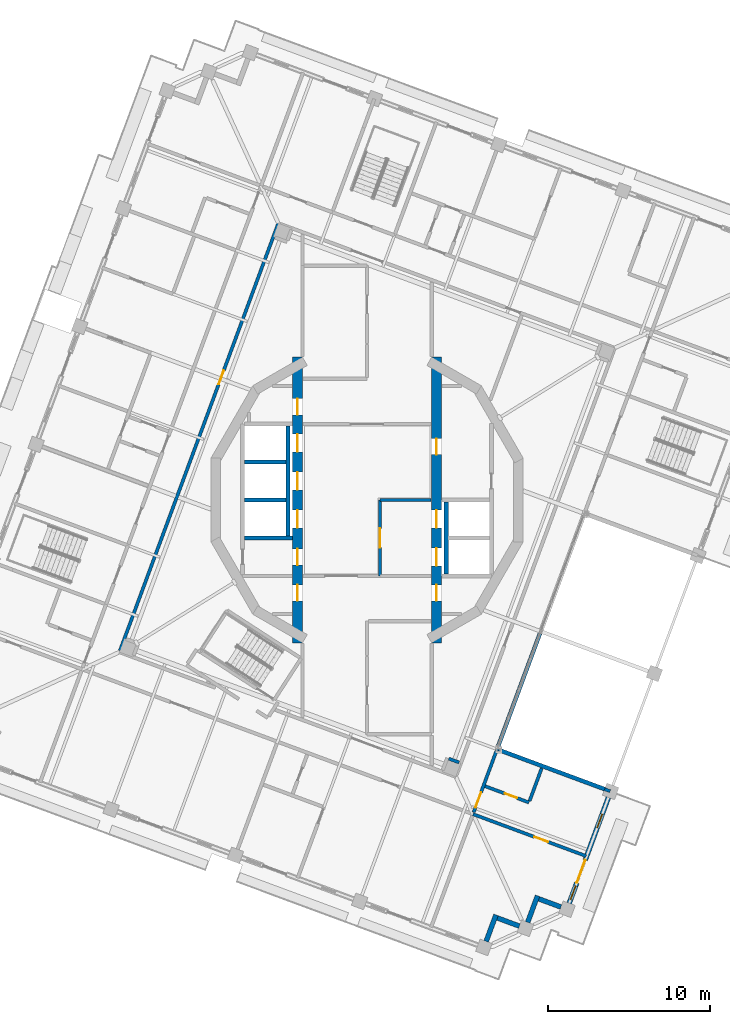
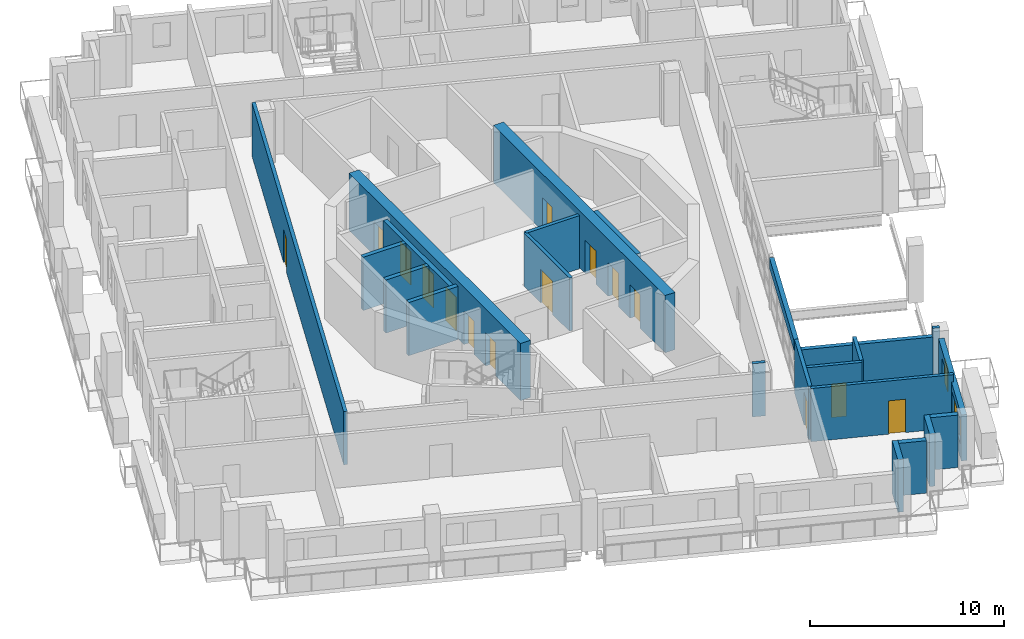
# One storey, part 7 of 19: 23 walls, 16 doors, 2 windows, 18 openings.
"""IFC4 building model written with IfcOpenShell, lengths in metres."""

from ifc_helpers import new_model, si_unit, direction, frame, frame_2d, origin, place, context, subcontext, project, spatial, rectangle, extrude, material, layer, layer_set, type_object, element, fill, save


model = new_model("IFC4")

# Units and contexts
model_context = context("Model", 3, precision=1e-05, world=origin(), true_north=direction((0.0, 1.0)))
body_context = subcontext(model_context, "Body", "Model", "MODEL_VIEW")
ifc_project = project(units=[si_unit("LENGTHUNIT", "METRE"), si_unit("AREAUNIT", "SQUARE_METRE"), si_unit("VOLUMEUNIT", "CUBIC_METRE"), si_unit("PLANEANGLEUNIT", "RADIAN"), si_unit("MASSUNIT", "GRAM", prefix="KILO")], contexts=[model_context])

# Site, building, storey
site_placement = place(None, origin())
site = spatial("IfcSite", under=ifc_project, at=site_placement, CompositionType="ELEMENT")
building_placement = place(site_placement, origin())
building = spatial("IfcBuilding", under=site, at=building_placement, Name="Cantera Rosa Tower", CompositionType="ELEMENT")
storey_placement = place(building_placement, frame((0.0, 0.0, 331.300048828125)))
storey = spatial("IfcBuildingStorey", under=building, at=storey_placement, Name="L74", CompositionType="ELEMENT", Elevation=331.300048828125)

# Wall, opening, door
ifc_material_1 = material(Name="Gypsum board partition")
ifc_layer_1 = layer(ifc_material_1, 0.199951171875)
ifc_layer_set_1 = layer_set([ifc_layer_1], Name="CORRIDOR WALL 200 H3350")
wall_type_1 = type_object("IfcWallType", Name="CORRIDOR WALL 200 H3350", PredefinedType="PARTITIONING", material=ifc_layer_set_1)
wall_1_placement = place(storey_placement, frame((-5.491455078125, 17.125244140625, 0.0), z_axis=(0.0, 0.0, 1.0), x_axis=(-0.347478457093, -0.937687966147, 0.0)))
wall_1 = element("IfcWall", 1, at=wall_1_placement, inside=storey, type_object=wall_type_1, Name="CORRIDOR WALL L74-045", PredefinedType="PARTITIONING", context=body_context, shape_type="SweptSolid", body=[
    extrude(rectangle(XDim=28.19970703125, YDim=0.199951171875, at=frame_2d((14.099853515625, 0.0))), origin(), (0.0, 0.0, 1.0), 3.349853515625),
])
opening_1_placement = place(wall_1_placement, frame((9.72509765625, 0.0, 0.0)))
opening_1 = element("IfcOpeningElement", 2, at=opening_1_placement, cuts=wall_1, Name="Opening L74-006", PredefinedType="OPENING", context=body_context, shape_type="SweptSolid", body=[
    extrude(rectangle(XDim=0.89990234375, YDim=2.10009765625, at=frame_2d((0.449951171875, 1.050048828125))), frame((0.0, 0.10986328125, 0.0), z_axis=(0.0, -1.0, 0.0), x_axis=(1.0, 0.0, 0.0)), (0.0, 0.0, 1.0), 0.219970703125),
])
ifc_material_2 = material(Name="Timber door leaf", Category="wood")
door_type_1 = type_object("IfcDoorType", Name="SERVICE DOOR 900x2100", OperationType="NOTDEFINED", PredefinedType="DOOR", material=ifc_material_2)
door_1_placement = place(opening_1_placement, origin())
door_1 = element("IfcDoor", 3, at=door_1_placement, inside=storey, type_object=door_type_1, Name="DOOR L74-006", OperationType="NOTDEFINED", OverallHeight=2.10009765625, OverallWidth=0.89990234375, PredefinedType="DOOR", context=body_context, shape_type="SweptSolid", body=[
    extrude(rectangle(XDim=0.89990234375, YDim=2.10009765625, at=frame_2d((0.449951171875, 1.050048828125))), frame((0.0, 0.02490234375, 0.0), z_axis=(0.0, -1.0, 0.0), x_axis=(1.0, 0.0, 0.0)), (0.0, 0.0, 1.0), 0.050048828125),
])
fill(opening_1, door_1)

wall_2_placement = place(storey_placement, frame((6.595458984375, -19.326171875, 0.0), z_axis=(0.0, 0.0, 1.0), x_axis=(0.347486922611, 0.937684829042, 0.0)))
wall_2 = element("IfcWall", 4, at=wall_2_placement, inside=storey, type_object=wall_type_1, Name="CORRIDOR WALL L74-090", PredefinedType="PARTITIONING", context=body_context, shape_type="SweptSolid", body=[
    extrude(rectangle(XDim=4.28515625, YDim=0.199951171875, at=frame_2d((2.142578125, 0.0))), origin(), (0.0, 0.0, 1.0), 3.349853515625),
])
opening_2_placement = place(wall_2_placement, frame((0.320068359375, 0.0, 0.0)))
opening_2 = element("IfcOpeningElement", 5, at=opening_2_placement, cuts=wall_2, Name="Opening L74-046", PredefinedType="OPENING", context=body_context, shape_type="SweptSolid", body=[
    extrude(rectangle(XDim=1.0, YDim=2.10009765625, at=frame_2d((0.5, 1.050048828125))), frame((0.0, 0.10986328125, 0.0), z_axis=(0.0, -1.0, 0.0), x_axis=(1.0, 0.0, 0.0)), (0.0, 0.0, 1.0), 0.219970703125),
])
ifc_material_3 = material(Name="Timber door leaf", Category="wood")
door_type_2 = type_object("IfcDoorType", Name="ENTRANCE DOOR 1000x2100", OperationType="NOTDEFINED", PredefinedType="DOOR", material=ifc_material_3)
door_2_placement = place(opening_2_placement, origin())
door_2 = element("IfcDoor", 6, at=door_2_placement, inside=storey, type_object=door_type_2, Name="DOOR L74-046", OperationType="NOTDEFINED", OverallHeight=2.10009765625, OverallWidth=1.0, PredefinedType="DOOR", context=body_context, shape_type="SweptSolid", body=[
    extrude(rectangle(XDim=1.0, YDim=2.10009765625, at=frame_2d((0.5, 1.050048828125))), frame((0.0, 0.02490234375, 0.0), z_axis=(0.0, -1.0, 0.0), x_axis=(1.0, 0.0, 0.0)), (0.0, 0.0, 1.0), 0.050048828125),
])
fill(opening_2, door_2)

# Walls
ifc_material_4 = material(Name="Hollow clay masonry with cantera stone cladding", Category="masonry")
ifc_layer_2 = layer(ifc_material_4, 0.300048828125)
ifc_layer_set_2 = layer_set([ifc_layer_2], Name="EW-LOGGIA 300")
wall_type_2 = type_object("IfcWallType", Name="EW-LOGGIA 300", PredefinedType="SOLIDWALL", material=ifc_layer_set_2)
wall_3_placement = place(storey_placement, frame((7.36865234375, -27.312255859375, 0.0), z_axis=(0.0, 0.0, 1.0), x_axis=(0.34752790836, 0.937669639538, 0.0)))
element("IfcWall", 7, at=wall_3_placement, inside=storey, type_object=wall_type_2, Name="EN-L74-W18a", PredefinedType="SOLIDWALL", context=body_context, shape_type="SweptSolid", body=[
    extrude(rectangle(XDim=1.75, YDim=0.300048828125, at=frame_2d((0.875, 0.0))), origin(), (0.0, 0.0, 1.0), 3.300048828125),
])
wall_4_placement = place(storey_placement, frame((8.065185546875, -25.8642578125, 0.0), z_axis=(0.0, 0.0, 1.0), x_axis=(0.937671557958, -0.347522732201, 0.0)))
element("IfcWall", 8, at=wall_4_placement, inside=storey, type_object=wall_type_2, Name="EN-L74-W18b", PredefinedType="SOLIDWALL", context=body_context, shape_type="SweptSolid", body=[
    extrude(rectangle(XDim=1.449951171875, YDim=0.300048828125, at=frame_2d((0.72509765625, 0.0))), origin(), (0.0, 0.0, 1.0), 3.300048828125),
])
wall_5_placement = place(storey_placement, frame((9.93896484375, -26.132080078125, 0.0), z_axis=(0.0, 0.0, 1.0), x_axis=(0.34748245117, 0.937686486054, 0.0)))
element("IfcWall", 9, at=wall_5_placement, inside=storey, type_object=wall_type_2, Name="EN-L74-W19a", PredefinedType="SOLIDWALL", context=body_context, shape_type="SweptSolid", body=[
    extrude(rectangle(XDim=1.750244140625, YDim=0.300048828125, at=frame_2d((0.875, 0.0))), origin(), (0.0, 0.0, 1.0), 3.300048828125),
])
wall_6_placement = place(storey_placement, frame((10.635498046875, -24.683837890625, 0.0), z_axis=(0.0, 0.0, 1.0), x_axis=(0.937671557958, -0.347522732201, 0.0)))
element("IfcWall", 10, at=wall_6_placement, inside=storey, type_object=wall_type_2, Name="EN-L74-W19b", PredefinedType="SOLIDWALL", context=body_context, shape_type="SweptSolid", body=[
    extrude(rectangle(XDim=1.449951171875, YDim=0.300048828125, at=frame_2d((0.72509765625, 0.0))), origin(), (0.0, 0.0, 1.0), 3.300048828125),
])

# Wall, openings, windows, door
ifc_material_5 = material(Name="Hollow clay masonry with cantera stone cladding", Category="masonry")
ifc_layer_3 = layer(ifc_material_5, 0.300048828125)
ifc_layer_set_3 = layer_set([ifc_layer_3], Name="EW-LOGGIA 300 H2890")
wall_type_3 = type_object("IfcWallType", Name="EW-LOGGIA 300 H2890", PredefinedType="SOLIDWALL", material=ifc_layer_set_3)
wall_7_placement = place(storey_placement, frame((12.50927734375, -24.95166015625, 0.0), z_axis=(0.0, 0.0, 1.0), x_axis=(0.347490919506, 0.937683347864, 0.0)))
wall_7 = element("IfcWall", 11, at=wall_7_placement, inside=storey, type_object=wall_type_3, Name="EN-L74-W20", PredefinedType="SOLIDWALL", context=body_context, shape_type="SweptSolid", body=[
    extrude(rectangle(XDim=6.980224609375, YDim=0.300048828125, at=frame_2d((3.490234375, 0.0))), origin(), (0.0, 0.0, 1.0), 2.889892578125),
])
opening_3_placement = place(wall_7_placement, frame((0.2451171875, 0.0, 0.89990234375)))
opening_3 = element("IfcOpeningElement", 12, at=opening_3_placement, cuts=wall_7, Name="Opening L74-W40", PredefinedType="OPENING", context=body_context, shape_type="SweptSolid", body=[
    extrude(rectangle(XDim=0.89990234375, YDim=1.5, at=frame_2d((0.449951171875, 0.75))), frame((0.0, 0.159912109375, 0.0), z_axis=(0.0, -1.0, 0.0), x_axis=(1.0, 0.0, 0.0)), (0.0, 0.0, 1.0), 0.320068359375),
])
opening_4_placement = place(wall_7_placement, frame((1.344970703125, 0.0, 0.0)))
opening_4 = element("IfcOpeningElement", 13, at=opening_4_placement, cuts=wall_7, Name="Opening L74-TD41", PredefinedType="OPENING", context=body_context, shape_type="SweptSolid", body=[
    extrude(rectangle(XDim=1.5, YDim=2.39990234375, at=frame_2d((0.75, 1.199951171875))), frame((0.0, 0.159912109375, 0.0), z_axis=(0.0, -1.0, 0.0), x_axis=(1.0, 0.0, 0.0)), (0.0, 0.0, 1.0), 0.320068359375),
])
opening_5_placement = place(wall_7_placement, frame((4.985107421875, 0.0, 0.89990234375)))
opening_5 = element("IfcOpeningElement", 14, at=opening_5_placement, cuts=wall_7, Name="Opening L74-W42", PredefinedType="OPENING", context=body_context, shape_type="SweptSolid", body=[
    extrude(rectangle(XDim=0.89990234375, YDim=1.5, at=frame_2d((0.449951171875, 0.75))), frame((0.0, 0.159912109375, 0.0), z_axis=(0.0, -1.0, 0.0), x_axis=(1.0, 0.0, 0.0)), (0.0, 0.0, 1.0), 0.320068359375),
])
ifc_material_6 = material(Name="Aluminium frame with clear glass", Category="aluminium")
window_type = type_object("IfcWindowType", Name="Residential window 900x1500", PartitioningType="SINGLE_PANEL", PredefinedType="WINDOW", material=ifc_material_6)
window_1_placement = place(opening_3_placement, origin())
window_1 = element("IfcWindow", 15, at=window_1_placement, inside=storey, type_object=window_type, Name="WINDOW L74-W40", OverallHeight=1.5, OverallWidth=0.89990234375, PartitioningType="SINGLE_PANEL", PredefinedType="WINDOW", context=body_context, shape_type="SweptSolid", body=[
    extrude(rectangle(XDim=0.89990234375, YDim=1.5, at=frame_2d((0.449951171875, 0.75))), frame((0.0, 0.030029296875, 0.0), z_axis=(0.0, -1.0, 0.0), x_axis=(1.0, 0.0, 0.0)), (0.0, 0.0, 1.0), 0.06005859375),
])
fill(opening_3, window_1)
window_2_placement = place(opening_5_placement, origin())
window_2 = element("IfcWindow", 16, at=window_2_placement, inside=storey, type_object=window_type, Name="WINDOW L74-W42", OverallHeight=1.5, OverallWidth=0.89990234375, PartitioningType="SINGLE_PANEL", PredefinedType="WINDOW", context=body_context, shape_type="SweptSolid", body=[
    extrude(rectangle(XDim=0.89990234375, YDim=1.5, at=frame_2d((0.449951171875, 0.75))), frame((0.0, 0.030029296875, 0.0), z_axis=(0.0, -1.0, 0.0), x_axis=(1.0, 0.0, 0.0)), (0.0, 0.0, 1.0), 0.06005859375),
])
fill(opening_5, window_2)
ifc_material_7 = material(Name="Aluminium frame with clear glass", Category="aluminium")
door_type_3 = type_object("IfcDoorType", Name="TD-R 1500x2400", OperationType="NOTDEFINED", PredefinedType="DOOR", material=ifc_material_7)
door_3_placement = place(opening_4_placement, origin())
door_3 = element("IfcDoor", 17, at=door_3_placement, inside=storey, type_object=door_type_3, Name="LOGGIA DOOR L74-TD41", OperationType="SLIDING_TO_LEFT", OverallHeight=2.39990234375, OverallWidth=1.5, PredefinedType="DOOR", context=body_context, shape_type="SweptSolid", body=[
    extrude(rectangle(XDim=1.5, YDim=2.39990234375, at=frame_2d((0.75, 1.199951171875))), frame((0.0, 0.02490234375, 0.0), z_axis=(0.0, -1.0, 0.0), x_axis=(1.0, 0.0, 0.0)), (0.0, 0.0, 1.0), 0.050048828125),
])
fill(opening_4, door_3)

# Walls
ifc_material_8 = material(Name="Concrete C40/50", Category="concrete")
ifc_layer_4 = layer(ifc_material_8, 0.25)
ifc_layer_set_4 = layer_set([ifc_layer_4], Name="EW-POCKET CHEEK 250 H2820")
wall_type_4 = type_object("IfcWallType", Name="EW-POCKET CHEEK 250 H2820", PredefinedType="SOLIDWALL", material=ifc_layer_set_4)
wall_8_placement = place(storey_placement, frame((14.69873046875, -17.892333984375, 0.0), z_axis=(0.0, 0.0, 1.0), x_axis=(-0.937689427556, 0.34747451338, 0.0)))
element("IfcWall", 18, at=wall_8_placement, inside=storey, type_object=wall_type_4, Name="POCKET CHEEK A L74", PredefinedType="SOLIDWALL", context=body_context, shape_type="SweptSolid", body=[
    extrude(rectangle(XDim=7.000244140625, YDim=0.25, at=frame_2d((3.5, 0.0))), origin(), (0.0, 0.0, 1.0), 2.820068359375),
])
ifc_material_9 = material(Name="Hollow clay masonry with cantera stone cladding", Category="masonry")
ifc_layer_5 = layer(ifc_material_9, 0.25)
ifc_layer_set_5 = layer_set([ifc_layer_5], Name="EW-POCKET REAR 250")
wall_type_5 = type_object("IfcWallType", Name="EW-POCKET REAR 250", PredefinedType="SOLIDWALL", material=ifc_layer_set_5)
wall_9_placement = place(storey_placement, frame((8.08447265625, -15.30810546875, 2.657958984375), z_axis=(0.0, 0.0, 1.0), x_axis=(0.347491979955, 0.937682954877, 0.0)))
element("IfcWall", 19, at=wall_9_placement, inside=storey, type_object=wall_type_5, Name="POCKET SPANDREL L74-1", PredefinedType="SOLIDWALL", context=body_context, shape_type="SweptSolid", body=[
    extrude(rectangle(XDim=7.5205078125, YDim=0.25, at=frame_2d((3.76025390625, 0.0))), origin(), (0.0, 0.0, 1.0), 0.64208984375),
])
ifc_material_10 = material(Name="Gypsum board partition")
ifc_layer_6 = layer(ifc_material_10, 0.199951171875)
ifc_layer_set_6 = layer_set([ifc_layer_6], Name="PARTITION 200 H3350")
wall_type_6 = type_object("IfcWallType", Name="PARTITION 200 H3350", PredefinedType="PARTITIONING", material=ifc_layer_set_6)
wall_10_placement = place(storey_placement, frame((5.691650390625, -16.23974609375, 0.0), z_axis=(0.0, 0.0, 1.0), x_axis=(-0.937679455874, 0.347501421626, 0.0)))
element("IfcWall", 20, at=wall_10_placement, inside=storey, type_object=wall_type_6, Name="PARTITION L74-086", PredefinedType="PARTITIONING", context=body_context, shape_type="SweptSolid", body=[
    extrude(rectangle(XDim=0.68017578125, YDim=0.199951171875, at=frame_2d((0.340087890625, 0.0))), origin(), (0.0, 0.0, 1.0), 3.349853515625),
])

# Wall, opening, door
wall_11_placement = place(storey_placement, frame((6.5537109375, -19.438720703125, 0.0), z_axis=(0.0, 0.0, 1.0), x_axis=(0.937698682222, -0.347449537859, 0.0)))
wall_11 = element("IfcWall", 21, at=wall_11_placement, inside=storey, type_object=wall_type_6, Name="PARTITION L74-089", PredefinedType="PARTITIONING", context=body_context, shape_type="SweptSolid", body=[
    extrude(rectangle(XDim=7.469970703125, YDim=0.199951171875, at=frame_2d((3.73486328125, 0.0))), origin(), (0.0, 0.0, 1.0), 3.349853515625),
])
opening_6_placement = place(wall_11_placement, frame((4.050048828125, 0.0, 0.0)))
opening_6 = element("IfcOpeningElement", 22, at=opening_6_placement, cuts=wall_11, Name="Opening L74-048", PredefinedType="OPENING", context=body_context, shape_type="SweptSolid", body=[
    extrude(rectangle(XDim=0.89990234375, YDim=2.10009765625, at=frame_2d((0.449951171875, 1.050048828125))), frame((0.0, 0.10986328125, 0.0), z_axis=(0.0, -1.0, 0.0), x_axis=(1.0, 0.0, 0.0)), (0.0, 0.0, 1.0), 0.219970703125),
])
ifc_material_11 = material(Name="Timber door leaf", Category="wood")
door_type_4 = type_object("IfcDoorType", Name="ROOM DOOR 900x2100", OperationType="NOTDEFINED", PredefinedType="DOOR", material=ifc_material_11)
door_4_placement = place(opening_6_placement, origin())
door_4 = element("IfcDoor", 23, at=door_4_placement, inside=storey, type_object=door_type_4, Name="DOOR L74-048", OperationType="NOTDEFINED", OverallHeight=2.10009765625, OverallWidth=0.89990234375, PredefinedType="DOOR", context=body_context, shape_type="SweptSolid", body=[
    extrude(rectangle(XDim=0.89990234375, YDim=2.10009765625, at=frame_2d((0.449951171875, 1.050048828125))), frame((0.0, 0.02490234375, 0.0), z_axis=(0.0, -1.0, 0.0), x_axis=(1.0, 0.0, 0.0)), (0.0, 0.0, 1.0), 0.050048828125),
])
fill(opening_6, door_4)

# Wall
wall_12_placement = place(storey_placement, frame((14.698486328125, -17.892333984375, 0.0), z_axis=(0.0, 0.0, 1.0), x_axis=(0.937677152558, -0.347507636708, 0.0)))
element("IfcWall", 24, at=wall_12_placement, inside=storey, type_object=wall_type_6, Name="PARTITION L74-097", PredefinedType="PARTITIONING", context=body_context, shape_type="SweptSolid", body=[
    extrude(rectangle(XDim=0.370361328125, YDim=0.199951171875, at=frame_2d((0.18505859375, 0.0))), origin(), (0.0, 0.0, 1.0), 3.349853515625),
])

# Wall, opening, door
wall_13_placement = place(storey_placement, frame((10.020263671875, -18.71826171875, 0.0), z_axis=(0.0, 0.0, 1.0), x_axis=(-0.937681724156, 0.347495300953, 0.0)))
wall_13 = element("IfcWall", 25, at=wall_13_placement, inside=storey, type_object=wall_type_6, Name="PARTITION L74-099", PredefinedType="PARTITIONING", context=body_context, shape_type="SweptSolid", body=[
    extrude(rectangle(XDim=2.900146484375, YDim=0.199951171875, at=frame_2d((1.4501953125, 0.0))), origin(), (0.0, 0.0, 1.0), 3.349853515625),
])
opening_7_placement = place(wall_13_placement, frame((0.800048828125, 0.0, 0.0)))
opening_7 = element("IfcOpeningElement", 26, at=opening_7_placement, cuts=wall_13, Name="Opening L74-047", PredefinedType="OPENING", context=body_context, shape_type="SweptSolid", body=[
    extrude(rectangle(XDim=0.800048828125, YDim=2.10009765625, at=frame_2d((0.39990234375, 1.050048828125))), frame((0.0, 0.10986328125, 0.0), z_axis=(0.0, -1.0, 0.0), x_axis=(1.0, 0.0, 0.0)), (0.0, 0.0, 1.0), 0.219970703125),
])
ifc_material_12 = material(Name="Timber door leaf", Category="wood")
door_type_5 = type_object("IfcDoorType", Name="BATHROOM DOOR 800x2100", OperationType="NOTDEFINED", PredefinedType="DOOR", material=ifc_material_12)
door_5_placement = place(opening_7_placement, origin())
door_5 = element("IfcDoor", 27, at=door_5_placement, inside=storey, type_object=door_type_5, Name="DOOR L74-047", OperationType="NOTDEFINED", OverallHeight=2.10009765625, OverallWidth=0.800048828125, PredefinedType="DOOR", context=body_context, shape_type="SweptSolid", body=[
    extrude(rectangle(XDim=0.800048828125, YDim=2.10009765625, at=frame_2d((0.39990234375, 1.050048828125))), frame((0.0, 0.02490234375, 0.0), z_axis=(0.0, -1.0, 0.0), x_axis=(1.0, 0.0, 0.0)), (0.0, 0.0, 1.0), 0.050048828125),
])
fill(opening_7, door_5)

# Wall
wall_14_placement = place(storey_placement, frame((10.80712890625, -16.59423828125, 0.0), z_axis=(0.0, 0.0, 1.0), x_axis=(-0.347413511938, -0.937712030275, 0.0)))
element("IfcWall", 28, at=wall_14_placement, inside=storey, type_object=wall_type_6, Name="PARTITION L74-100", PredefinedType="PARTITIONING", context=body_context, shape_type="SweptSolid", body=[
    extrude(rectangle(XDim=2.1650390625, YDim=0.199951171875, at=frame_2d((1.08251953125, 0.0))), origin(), (0.0, 0.0, 1.0), 3.349853515625),
])

# Wall, openings, doors
ifc_material_13 = material(Name="Concrete C50/60", Category="concrete")
ifc_layer_7 = layer(ifc_material_13, 0.60009765625)
ifc_layer_set_7 = layer_set([ifc_layer_7], Name="RC CORE WALL 600 C50/60")
wall_type_7 = type_object("IfcWallType", Name="RC CORE WALL 600 C50/60", PredefinedType="SHEAR", material=ifc_layer_set_7)
wall_15_placement = place(storey_placement, frame((-4.300048828125, 8.84423828125, 0.0), z_axis=(0.0, 0.0, 1.0), x_axis=(0.0, -1.0, 0.0)))
wall_15 = element("IfcWall", 29, at=wall_15_placement, inside=storey, type_object=wall_type_7, Name="CW-W6 L74", PredefinedType="SHEAR", context=body_context, shape_type="SweptSolid", body=[
    extrude(rectangle(XDim=17.6884765625, YDim=0.60009765625, at=frame_2d((8.84423828125, 0.0))), origin(), (0.0, 0.0, 1.0), 3.599853515625),
])
opening_8_placement = place(wall_15_placement, frame((9.468994140625, 0.0, 0.0)))
opening_8 = element("IfcOpeningElement", 30, at=opening_8_placement, cuts=wall_15, Name="Opening LD-H1-L74", PredefinedType="OPENING", context=body_context, shape_type="SweptSolid", body=[
    extrude(rectangle(XDim=1.10009765625, YDim=2.10009765625, at=frame_2d((0.550048828125, 1.050048828125))), frame((0.0, 0.31005859375, 0.0), z_axis=(0.0, -1.0, 0.0), x_axis=(1.0, 0.0, 0.0)), (0.0, 0.0, 1.0), 0.6201171875),
])
opening_9_placement = place(wall_15_placement, frame((7.119140625, 0.0, 0.0)))
opening_9 = element("IfcOpeningElement", 31, at=opening_9_placement, cuts=wall_15, Name="Opening LD-H2-L74", PredefinedType="OPENING", context=body_context, shape_type="SweptSolid", body=[
    extrude(rectangle(XDim=1.10009765625, YDim=2.10009765625, at=frame_2d((0.550048828125, 1.050048828125))), frame((0.0, 0.31005859375, 0.0), z_axis=(0.0, -1.0, 0.0), x_axis=(1.0, 0.0, 0.0)), (0.0, 0.0, 1.0), 0.6201171875),
])
opening_10_placement = place(wall_15_placement, frame((4.76904296875, 0.0, 0.0)))
opening_10 = element("IfcOpeningElement", 32, at=opening_10_placement, cuts=wall_15, Name="Opening LD-H3-L74", PredefinedType="OPENING", context=body_context, shape_type="SweptSolid", body=[
    extrude(rectangle(XDim=1.10009765625, YDim=2.10009765625, at=frame_2d((0.550048828125, 1.050048828125))), frame((0.0, 0.31005859375, 0.0), z_axis=(0.0, -1.0, 0.0), x_axis=(1.0, 0.0, 0.0)), (0.0, 0.0, 1.0), 0.6201171875),
])
opening_11_placement = place(wall_15_placement, frame((14.091552734375, 0.0, 0.0)))
opening_11 = element("IfcOpeningElement", 33, at=opening_11_placement, cuts=wall_15, Name="Opening SD-L74-16", PredefinedType="OPENING", context=body_context, shape_type="SweptSolid", body=[
    extrude(rectangle(XDim=1.0, YDim=2.10009765625, at=frame_2d((0.5, 1.050048828125))), frame((0.0, 0.31005859375, 0.0), z_axis=(0.0, -1.0, 0.0), x_axis=(1.0, 0.0, 0.0)), (0.0, 0.0, 1.0), 0.6201171875),
])
opening_12_placement = place(wall_15_placement, frame((2.572265625, 0.0, 0.0)))
opening_12 = element("IfcOpeningElement", 34, at=opening_12_placement, cuts=wall_15, Name="Opening SD-L74-17", PredefinedType="OPENING", context=body_context, shape_type="SweptSolid", body=[
    extrude(rectangle(XDim=1.0, YDim=2.10009765625, at=frame_2d((0.5, 1.050048828125))), frame((0.0, 0.31005859375, 0.0), z_axis=(0.0, -1.0, 0.0), x_axis=(1.0, 0.0, 0.0)), (0.0, 0.0, 1.0), 0.6201171875),
])
opening_13_placement = place(wall_15_placement, frame((11.869140625, 0.0, 0.0)))
opening_13 = element("IfcOpeningElement", 35, at=opening_13_placement, cuts=wall_15, Name="Opening SD-L74-18", PredefinedType="OPENING", context=body_context, shape_type="SweptSolid", body=[
    extrude(rectangle(XDim=1.0, YDim=2.10009765625, at=frame_2d((0.5, 1.050048828125))), frame((0.0, 0.31005859375, 0.0), z_axis=(0.0, -1.0, 0.0), x_axis=(1.0, 0.0, 0.0)), (0.0, 0.0, 1.0), 0.6201171875),
])
ifc_material_14 = material(Name="Steel S355J2 (EN 10025-2)", Category="steel")
door_type_6 = type_object("IfcDoorType", Name="LANDING DOOR 1100x2100", OperationType="NOTDEFINED", PredefinedType="DOOR", material=ifc_material_14)
door_6_placement = place(opening_8_placement, origin())
door_6 = element("IfcDoor", 36, at=door_6_placement, inside=storey, type_object=door_type_6, Name="LANDING DOOR H1 L74", OperationType="SLIDING_TO_LEFT", OverallHeight=2.10009765625, OverallWidth=1.10009765625, PredefinedType="DOOR", context=body_context, shape_type="SweptSolid", body=[
    extrude(rectangle(XDim=1.10009765625, YDim=2.10009765625, at=frame_2d((0.550048828125, 1.050048828125))), frame((0.0, 0.02490234375, 0.0), z_axis=(0.0, -1.0, 0.0), x_axis=(1.0, 0.0, 0.0)), (0.0, 0.0, 1.0), 0.050048828125),
])
fill(opening_8, door_6)
door_7_placement = place(opening_9_placement, origin())
door_7 = element("IfcDoor", 37, at=door_7_placement, inside=storey, type_object=door_type_6, Name="LANDING DOOR H2 L74", OperationType="SLIDING_TO_LEFT", OverallHeight=2.10009765625, OverallWidth=1.10009765625, PredefinedType="DOOR", context=body_context, shape_type="SweptSolid", body=[
    extrude(rectangle(XDim=1.10009765625, YDim=2.10009765625, at=frame_2d((0.550048828125, 1.050048828125))), frame((0.0, 0.02490234375, 0.0), z_axis=(0.0, -1.0, 0.0), x_axis=(1.0, 0.0, 0.0)), (0.0, 0.0, 1.0), 0.050048828125),
])
fill(opening_9, door_7)
door_8_placement = place(opening_10_placement, origin())
door_8 = element("IfcDoor", 38, at=door_8_placement, inside=storey, type_object=door_type_6, Name="LANDING DOOR H3 L74", OperationType="SLIDING_TO_LEFT", OverallHeight=2.10009765625, OverallWidth=1.10009765625, PredefinedType="DOOR", context=body_context, shape_type="SweptSolid", body=[
    extrude(rectangle(XDim=1.10009765625, YDim=2.10009765625, at=frame_2d((0.550048828125, 1.050048828125))), frame((0.0, 0.02490234375, 0.0), z_axis=(0.0, -1.0, 0.0), x_axis=(1.0, 0.0, 0.0)), (0.0, 0.0, 1.0), 0.050048828125),
])
fill(opening_10, door_8)
ifc_material_15 = material(Name="Timber door leaf", Category="wood")
door_type_7 = type_object("IfcDoorType", Name="SERVICE DOOR 1000x2100", OperationType="NOTDEFINED", PredefinedType="DOOR", material=ifc_material_15)
door_9_placement = place(opening_11_placement, origin())
door_9 = element("IfcDoor", 39, at=door_9_placement, inside=storey, type_object=door_type_7, Name="DOOR L74-SD16", OperationType="NOTDEFINED", OverallHeight=2.10009765625, OverallWidth=1.0, PredefinedType="DOOR", context=body_context, shape_type="SweptSolid", body=[
    extrude(rectangle(XDim=1.0, YDim=2.10009765625, at=frame_2d((0.5, 1.050048828125))), frame((0.0, 0.02490234375, 0.0), z_axis=(0.0, -1.0, 0.0), x_axis=(1.0, 0.0, 0.0)), (0.0, 0.0, 1.0), 0.050048828125),
])
fill(opening_11, door_9)
door_10_placement = place(opening_12_placement, origin())
door_10 = element("IfcDoor", 40, at=door_10_placement, inside=storey, type_object=door_type_7, Name="DOOR L74-SD17", OperationType="NOTDEFINED", OverallHeight=2.10009765625, OverallWidth=1.0, PredefinedType="DOOR", context=body_context, shape_type="SweptSolid", body=[
    extrude(rectangle(XDim=1.0, YDim=2.10009765625, at=frame_2d((0.5, 1.050048828125))), frame((0.0, 0.02490234375, 0.0), z_axis=(0.0, -1.0, 0.0), x_axis=(1.0, 0.0, 0.0)), (0.0, 0.0, 1.0), 0.050048828125),
])
fill(opening_12, door_10)
door_11_placement = place(opening_13_placement, origin())
door_11 = element("IfcDoor", 41, at=door_11_placement, inside=storey, type_object=door_type_7, Name="DOOR L74-SD18", OperationType="NOTDEFINED", OverallHeight=2.10009765625, OverallWidth=1.0, PredefinedType="DOOR", context=body_context, shape_type="SweptSolid", body=[
    extrude(rectangle(XDim=1.0, YDim=2.10009765625, at=frame_2d((0.5, 1.050048828125))), frame((0.0, 0.02490234375, 0.0), z_axis=(0.0, -1.0, 0.0), x_axis=(1.0, 0.0, 0.0)), (0.0, 0.0, 1.0), 0.050048828125),
])
fill(opening_13, door_11)

wall_16_placement = place(storey_placement, frame((4.300048828125, -8.84423828125, 0.0), z_axis=(0.0, 0.0, 1.0), x_axis=(0.0, 1.0, 0.0)))
wall_16 = element("IfcWall", 42, at=wall_16_placement, inside=storey, type_object=wall_type_7, Name="CW-E6 L74", PredefinedType="SHEAR", context=body_context, shape_type="SweptSolid", body=[
    extrude(rectangle(XDim=17.6884765625, YDim=0.60009765625, at=frame_2d((8.84423828125, 0.0))), origin(), (0.0, 0.0, 1.0), 3.599853515625),
])
opening_14_placement = place(wall_16_placement, frame((4.76904296875, 0.0, 0.0)))
opening_14 = element("IfcOpeningElement", 43, at=opening_14_placement, cuts=wall_16, Name="Opening LD-FF1-L74", PredefinedType="OPENING", context=body_context, shape_type="SweptSolid", body=[
    extrude(rectangle(XDim=1.10009765625, YDim=2.10009765625, at=frame_2d((0.550048828125, 1.050048828125))), frame((0.0, 0.31005859375, 0.0), z_axis=(0.0, -1.0, 0.0), x_axis=(1.0, 0.0, 0.0)), (0.0, 0.0, 1.0), 0.6201171875),
])
opening_15_placement = place(wall_16_placement, frame((7.119140625, 0.0, 0.0)))
opening_15 = element("IfcOpeningElement", 44, at=opening_15_placement, cuts=wall_16, Name="Opening LD-FF2-L74", PredefinedType="OPENING", context=body_context, shape_type="SweptSolid", body=[
    extrude(rectangle(XDim=1.10009765625, YDim=2.10009765625, at=frame_2d((0.550048828125, 1.050048828125))), frame((0.0, 0.31005859375, 0.0), z_axis=(0.0, -1.0, 0.0), x_axis=(1.0, 0.0, 0.0)), (0.0, 0.0, 1.0), 0.6201171875),
])
opening_16_placement = place(wall_16_placement, frame((2.5966796875, 0.0, 0.0)))
opening_16 = element("IfcOpeningElement", 45, at=opening_16_placement, cuts=wall_16, Name="Opening SD-L74-19", PredefinedType="OPENING", context=body_context, shape_type="SweptSolid", body=[
    extrude(rectangle(XDim=1.0, YDim=2.10009765625, at=frame_2d((0.5, 1.050048828125))), frame((0.0, 0.31005859375, 0.0), z_axis=(0.0, -1.0, 0.0), x_axis=(1.0, 0.0, 0.0)), (0.0, 0.0, 1.0), 0.6201171875),
])
opening_17_placement = place(wall_16_placement, frame((11.6494140625, 0.0, 0.0)))
opening_17 = element("IfcOpeningElement", 46, at=opening_17_placement, cuts=wall_16, Name="Opening SD-L74-20", PredefinedType="OPENING", context=body_context, shape_type="SweptSolid", body=[
    extrude(rectangle(XDim=1.0, YDim=2.10009765625, at=frame_2d((0.5, 1.050048828125))), frame((0.0, 0.31005859375, 0.0), z_axis=(0.0, -1.0, 0.0), x_axis=(1.0, 0.0, 0.0)), (0.0, 0.0, 1.0), 0.6201171875),
])
door_12_placement = place(opening_14_placement, origin())
door_12 = element("IfcDoor", 47, at=door_12_placement, inside=storey, type_object=door_type_6, Name="LANDING DOOR FF1 L74", OperationType="SLIDING_TO_LEFT", OverallHeight=2.10009765625, OverallWidth=1.10009765625, PredefinedType="DOOR", context=body_context, shape_type="SweptSolid", body=[
    extrude(rectangle(XDim=1.10009765625, YDim=2.10009765625, at=frame_2d((0.550048828125, 1.050048828125))), frame((0.0, 0.02490234375, 0.0), z_axis=(0.0, -1.0, 0.0), x_axis=(1.0, 0.0, 0.0)), (0.0, 0.0, 1.0), 0.050048828125),
])
fill(opening_14, door_12)
door_13_placement = place(opening_15_placement, origin())
door_13 = element("IfcDoor", 48, at=door_13_placement, inside=storey, type_object=door_type_6, Name="LANDING DOOR FF2 L74", OperationType="SLIDING_TO_LEFT", OverallHeight=2.10009765625, OverallWidth=1.10009765625, PredefinedType="DOOR", context=body_context, shape_type="SweptSolid", body=[
    extrude(rectangle(XDim=1.10009765625, YDim=2.10009765625, at=frame_2d((0.550048828125, 1.050048828125))), frame((0.0, 0.02490234375, 0.0), z_axis=(0.0, -1.0, 0.0), x_axis=(1.0, 0.0, 0.0)), (0.0, 0.0, 1.0), 0.050048828125),
])
fill(opening_15, door_13)
door_14_placement = place(opening_16_placement, origin())
door_14 = element("IfcDoor", 49, at=door_14_placement, inside=storey, type_object=door_type_7, Name="DOOR L74-SD19", OperationType="NOTDEFINED", OverallHeight=2.10009765625, OverallWidth=1.0, PredefinedType="DOOR", context=body_context, shape_type="SweptSolid", body=[
    extrude(rectangle(XDim=1.0, YDim=2.10009765625, at=frame_2d((0.5, 1.050048828125))), frame((0.0, 0.02490234375, 0.0), z_axis=(0.0, -1.0, 0.0), x_axis=(1.0, 0.0, 0.0)), (0.0, 0.0, 1.0), 0.050048828125),
])
fill(opening_16, door_14)
door_15_placement = place(opening_17_placement, origin())
door_15 = element("IfcDoor", 50, at=door_15_placement, inside=storey, type_object=door_type_7, Name="DOOR L74-SD20", OperationType="NOTDEFINED", OverallHeight=2.10009765625, OverallWidth=1.0, PredefinedType="DOOR", context=body_context, shape_type="SweptSolid", body=[
    extrude(rectangle(XDim=1.0, YDim=2.10009765625, at=frame_2d((0.5, 1.050048828125))), frame((0.0, 0.02490234375, 0.0), z_axis=(0.0, -1.0, 0.0), x_axis=(1.0, 0.0, 0.0)), (0.0, 0.0, 1.0), 0.050048828125),
])
fill(opening_17, door_15)

# Walls
ifc_material_16 = material(Name="Masonry blockwork", Category="masonry")
ifc_layer_8 = layer(ifc_material_16, 0.25)
ifc_layer_set_8 = layer_set([ifc_layer_8], Name="SHAFT WALL 250 H3350")
wall_type_8 = type_object("IfcWallType", Name="SHAFT WALL 250 H3350", PredefinedType="SOLIDWALL", material=ifc_layer_set_8)
for number, where, z_axis, x_axis, name in (
    (51, (-7.574951171875, 0.0, 0.0), (0.0, 0.0, 1.0), (1.0, 0.0, 0.0), "SHAFT WALL L74-031"),
    (52, (-7.574951171875, 2.35009765625, 0.0), (0.0, 0.0, 1.0), (1.0, 0.0, 0.0), "SHAFT WALL L74-032"),
):
    element("IfcWall", number, at=place(storey_placement, frame(where, z_axis=z_axis, x_axis=x_axis)), inside=storey, type_object=wall_type_8, Name=name, PredefinedType="SOLIDWALL", context=body_context, shape_type="SweptSolid", body=[
        extrude(rectangle(XDim=2.554931640625, YDim=0.25, at=frame_2d((1.27734375, 0.0))), origin(), (0.0, 0.0, 1.0), 3.349853515625),
    ])
wall_17_placement = place(storey_placement, frame((-4.89990234375, -2.22509765625, 0.0), z_axis=(0.0, 0.0, 1.0), x_axis=(0.0, 1.0, 0.0)))
element("IfcWall", 53, at=wall_17_placement, inside=storey, type_object=wall_type_8, Name="SHAFT WALL L74-047", PredefinedType="SOLIDWALL", context=body_context, shape_type="SweptSolid", body=[
    extrude(rectangle(XDim=6.800048828125, YDim=0.25, at=frame_2d((3.39990234375, 0.0))), origin(), (0.0, 0.0, 1.0), 3.349853515625),
])
wall_18_placement = place(storey_placement, frame((-4.6298828125, -2.35009765625, 0.0), z_axis=(0.0, 0.0, 1.0), x_axis=(-1.0, 0.0, 0.0)))
element("IfcWall", 54, at=wall_18_placement, inside=storey, type_object=wall_type_8, Name="SHAFT WALL L74-049", PredefinedType="SOLIDWALL", context=body_context, shape_type="SweptSolid", body=[
    extrude(rectangle(XDim=2.945068359375, YDim=0.25, at=frame_2d((1.47265625, 0.0))), origin(), (0.0, 0.0, 1.0), 3.349853515625),
])
wall_19_placement = place(storey_placement, frame((4.89990234375, -0.125, 0.0), z_axis=(0.0, 0.0, 1.0), x_axis=(0.0, -1.0, 0.0)))
element("IfcWall", 55, at=wall_19_placement, inside=storey, type_object=wall_type_8, Name="SHAFT WALL L74-083", PredefinedType="SOLIDWALL", context=body_context, shape_type="SweptSolid", body=[
    extrude(rectangle(XDim=4.449951171875, YDim=0.25, at=frame_2d((2.22509765625, 0.0))), origin(), (0.0, 0.0, 1.0), 3.349853515625),
])

# Wall, opening, door
ifc_material_17 = material(Name="Concrete C50/60", Category="concrete")
ifc_layer_9 = layer(ifc_material_17, 0.199951171875)
ifc_layer_set_9 = layer_set([ifc_layer_9], Name="STAIR WALL 200 H3350")
wall_type_9 = type_object("IfcWallType", Name="STAIR WALL 200 H3350", PredefinedType="SOLIDWALL", material=ifc_layer_set_9)
wall_20_placement = place(storey_placement, frame((0.800048828125, -4.699951171875, 0.0), z_axis=(0.0, 0.0, 1.0), x_axis=(0.0, 1.0, 0.0)))
wall_20 = element("IfcWall", 56, at=wall_20_placement, inside=storey, type_object=wall_type_9, Name="STAIR WALL L74-070", PredefinedType="SOLIDWALL", context=body_context, shape_type="SweptSolid", body=[
    extrude(rectangle(XDim=4.699951171875, YDim=0.199951171875, at=frame_2d((2.35009765625, 0.0))), origin(), (0.0, 0.0, 1.0), 3.349853515625),
])
opening_18_placement = place(wall_20_placement, frame((1.75, 0.0, 0.0)))
opening_18 = element("IfcOpeningElement", 57, at=opening_18_placement, cuts=wall_20, Name="Opening L74-013", PredefinedType="OPENING", context=body_context, shape_type="SweptSolid", body=[
    extrude(rectangle(XDim=1.199951171875, YDim=2.10009765625, at=frame_2d((0.60009765625, 1.050048828125))), frame((0.0, 0.10986328125, 0.0), z_axis=(0.0, -1.0, 0.0), x_axis=(1.0, 0.0, 0.0)), (0.0, 0.0, 1.0), 0.219970703125),
])
ifc_material_18 = material(Name="Steel S355J2 (EN 10025-2)", Category="steel")
door_type_8 = type_object("IfcDoorType", Name="FIRE DOOR 1200x2100", OperationType="NOTDEFINED", PredefinedType="DOOR", material=ifc_material_18)
door_16_placement = place(opening_18_placement, origin())
door_16 = element("IfcDoor", 58, at=door_16_placement, inside=storey, type_object=door_type_8, Name="DOOR L74-013", OperationType="NOTDEFINED", OverallHeight=2.10009765625, OverallWidth=1.199951171875, PredefinedType="DOOR", context=body_context, shape_type="SweptSolid", body=[
    extrude(rectangle(XDim=1.199951171875, YDim=2.10009765625, at=frame_2d((0.60009765625, 1.050048828125))), frame((0.0, 0.02490234375, 0.0), z_axis=(0.0, -1.0, 0.0), x_axis=(1.0, 0.0, 0.0)), (0.0, 0.0, 1.0), 0.050048828125),
])
fill(opening_18, door_16)

# Wall
wall_21_placement = place(storey_placement, frame((0.800048828125, 0.0, 0.0), z_axis=(0.0, 0.0, 1.0), x_axis=(1.0, 0.0, 0.0)))
element("IfcWall", 59, at=wall_21_placement, inside=storey, type_object=wall_type_9, Name="STAIR WALL L74-071", PredefinedType="SOLIDWALL", context=body_context, shape_type="SweptSolid", body=[
    extrude(rectangle(XDim=3.169921875, YDim=0.199951171875, at=frame_2d((1.5849609375, 0.0))), origin(), (0.0, 0.0, 1.0), 3.349853515625),
])

save(model, "model.ifc")
